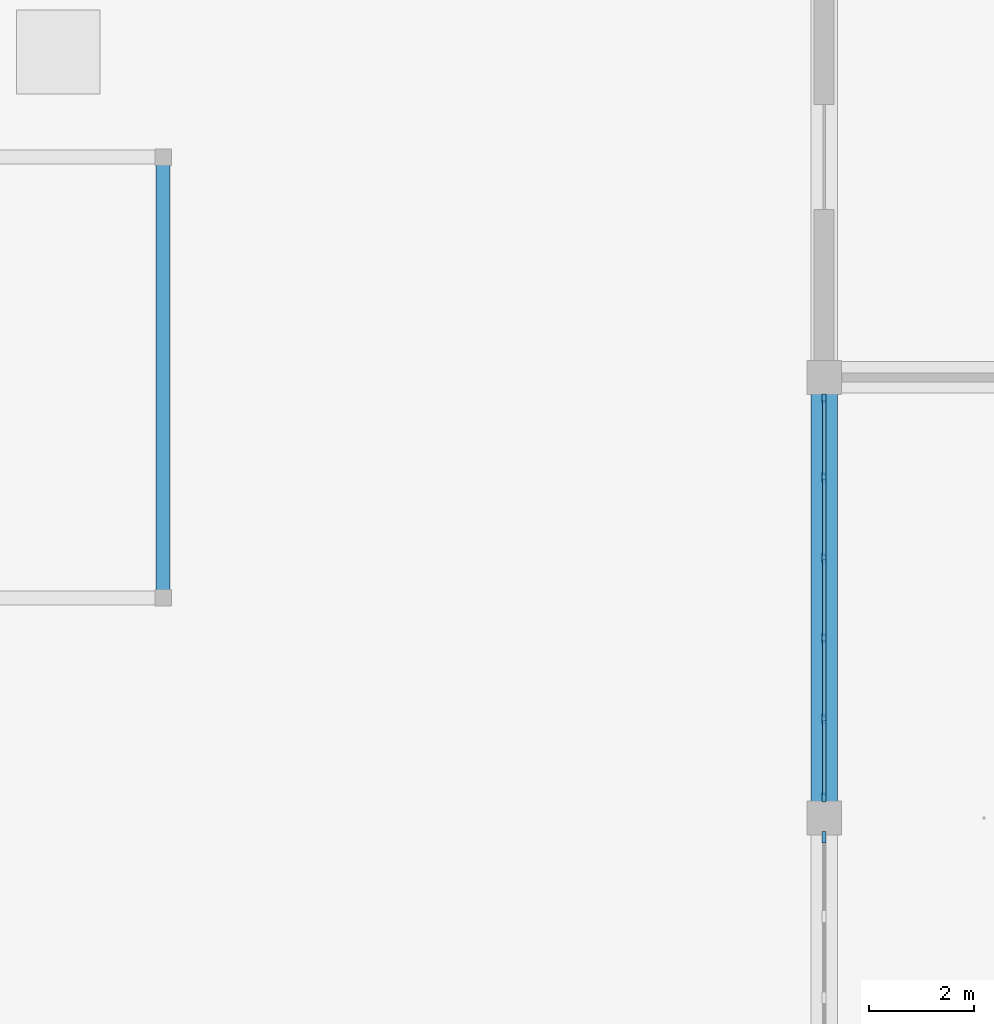
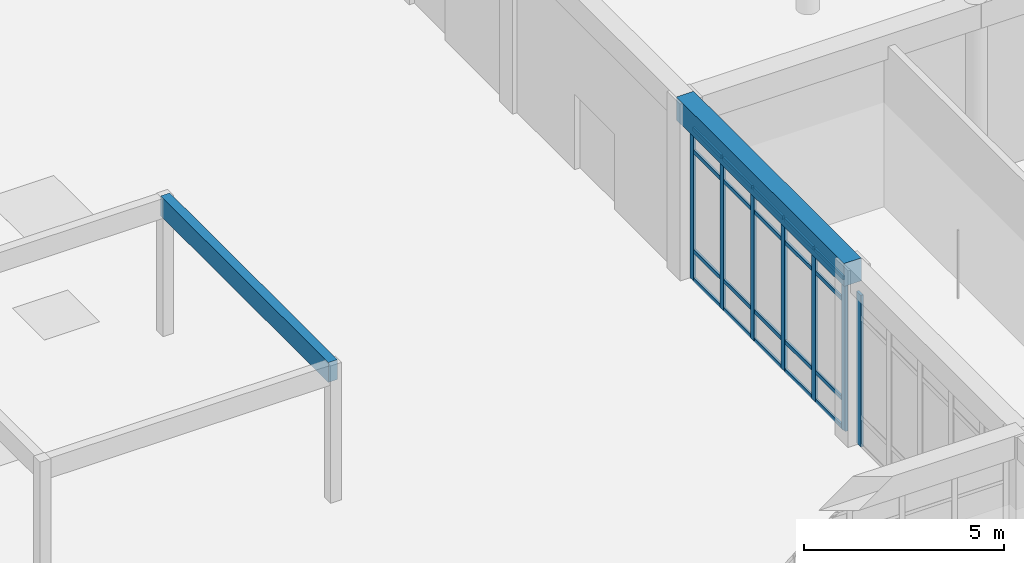
# One storey, part 17 of 167: 27 members, 2 beams, 2 elements without a shape of their own.
"""IFC4 building model written with IfcOpenShell, lengths in metres."""

from ifc_helpers import new_model, si_unit, direction, frame, origin, origin_2d, place, context, subcontext, project, spatial, rectangle, extrude, material, material_profile, profile_set, type_object, element, aggregate, save


model = new_model("IFC4")

# Units and contexts
model_context = context("Model", 3, precision=1e-05, world=origin(), true_north=direction((0.0, 1.0)))
body_context = subcontext(model_context, "Body", "Model", "MODEL_VIEW")
ifc_project = project(units=[si_unit("LENGTHUNIT", "METRE"), si_unit("AREAUNIT", "SQUARE_METRE"), si_unit("VOLUMEUNIT", "CUBIC_METRE"), si_unit("PLANEANGLEUNIT", "RADIAN"), si_unit("MASSUNIT", "GRAM", prefix="KILO")], contexts=[model_context])

# Site, building, storey
site_placement = place(None, origin())
site = spatial("IfcSite", under=ifc_project, at=site_placement, CompositionType="ELEMENT")
building_placement = place(site_placement, origin())
building = spatial("IfcBuilding", under=site, at=building_placement, Name="Varncliffe General Hospital", CompositionType="ELEMENT")
storey_placement = place(building_placement, origin())
storey = spatial("IfcBuildingStorey", under=building, at=storey_placement, Name="L00", CompositionType="ELEMENT", Elevation=0.0)

# Beam
ifc_material_1 = material(Name="Glulam GL28h (CSA O86 24f-EX, 30 MPa)", Category="wood")
ifc_material_profile_1 = material_profile(ifc_material_1, rectangle(XDim=0.264892578125, YDim=0.60791015625, at=origin_2d()), Name="GL 265x608")
ifc_profile_set_1 = profile_set([ifc_material_profile_1], Name="Glulam GL28h (CSA O86 24f-EX, 30 MPa)")
beam_type_1 = type_object("IfcBeamType", Name="Beam B82 (Ext GL 265x608)", PredefinedType="BEAM", material=ifc_profile_set_1)
beam_1_placement = place(storey_placement, frame((46.199951171875, 53.39990234375, 3.89599609375), z_axis=(0.0, 1.0, 0.0), x_axis=(-1.0, 0.0, 0.0)))
element("IfcBeam", 1, at=beam_1_placement, inside=storey, type_object=beam_type_1, Name="L00 Cloister Pergola Glulam Beam W4", PredefinedType="BEAM", context=body_context, shape_type="SweptSolid", body=[
    extrude(rectangle(XDim=0.264892578125, YDim=0.60791015625, at=origin_2d()), origin(), (0.0, 0.0, 1.0), 8.400146484375),
])

# Curtain wall, members
ifc_material_2 = material(Name="Triple low-E argon insulated vision glazing", Category="glass")
curtain_wall_type_1 = type_object("IfcCurtainWallType", Name="Unitised Glazed Curtain Wall CW15 (7674x4640)", PredefinedType="USERDEFINED", material=ifc_material_2)
curtain_wall_1_placement = place(storey_placement, origin())
curtain_wall_1 = element("IfcCurtainWall", 2, at=curtain_wall_1_placement, inside=storey, type_object=curtain_wall_type_1, Name="L00 Glazed Curtain Wall CW15-22", ObjectType="GLAZED CURTAIN WALL", PredefinedType="USERDEFINED")
ifc_material_3 = material(Name="Dark bronze thermally broken aluminium framing", Category="aluminium")
ifc_material_profile_2 = material_profile(ifc_material_3, rectangle(XDim=0.074951171875, YDim=0.179931640625, at=origin_2d()), Name="ALU 75x180")
ifc_profile_set_2 = profile_set([ifc_material_profile_2], Name="Dark bronze thermally broken aluminium framing")
member_type_1 = type_object("IfcMemberType", Name="Curtain Wall Mullion CM44 (ALU 75x180)", PredefinedType="MULLION", material=ifc_profile_set_2)
member_1_placement = place(storey_placement, frame((58.800048828125, 49.6005859375, 0.0), z_axis=(0.0, 0.0, 1.0), x_axis=(-1.0, 0.0, 0.0)))
member_1 = element("IfcMember", 3, at=member_1_placement, type_object=member_type_1, Name="CW15 mullion 1", PredefinedType="MULLION", context=body_context, shape_type="SweptSolid", body=[
    extrude(rectangle(XDim=0.074951171875, YDim=0.179931640625, at=origin_2d()), origin(), (0.0, 0.0, 1.0), 4.639892578125),
])
member_2_placement = place(storey_placement, frame((58.800048828125, 51.097900390625, 0.0), z_axis=(0.0, 0.0, 1.0), x_axis=(-1.0, 0.0, 0.0)))
member_2 = element("IfcMember", 4, at=member_2_placement, type_object=member_type_1, Name="CW15 mullion 2", PredefinedType="MULLION", context=body_context, shape_type="SweptSolid", body=[
    extrude(rectangle(XDim=0.074951171875, YDim=0.179931640625, at=origin_2d()), origin(), (0.0, 0.0, 1.0), 4.639892578125),
])
member_3_placement = place(storey_placement, frame((58.800048828125, 52.632568359375, 0.0), z_axis=(0.0, 0.0, 1.0), x_axis=(-1.0, 0.0, 0.0)))
member_3 = element("IfcMember", 5, at=member_3_placement, type_object=member_type_1, Name="CW15 mullion 3", PredefinedType="MULLION", context=body_context, shape_type="SweptSolid", body=[
    extrude(rectangle(XDim=0.074951171875, YDim=0.179931640625, at=origin_2d()), origin(), (0.0, 0.0, 1.0), 4.639892578125),
])
member_4_placement = place(storey_placement, frame((58.800048828125, 54.16748046875, 0.0), z_axis=(0.0, 0.0, 1.0), x_axis=(-1.0, 0.0, 0.0)))
member_4 = element("IfcMember", 6, at=member_4_placement, type_object=member_type_1, Name="CW15 mullion 4", PredefinedType="MULLION", context=body_context, shape_type="SweptSolid", body=[
    extrude(rectangle(XDim=0.074951171875, YDim=0.179931640625, at=origin_2d()), origin(), (0.0, 0.0, 1.0), 4.639892578125),
])
member_5_placement = place(storey_placement, frame((58.800048828125, 55.7021484375, 0.0), z_axis=(0.0, 0.0, 1.0), x_axis=(-1.0, 0.0, 0.0)))
member_5 = element("IfcMember", 7, at=member_5_placement, type_object=member_type_1, Name="CW15 mullion 5", PredefinedType="MULLION", context=body_context, shape_type="SweptSolid", body=[
    extrude(rectangle(XDim=0.074951171875, YDim=0.179931640625, at=origin_2d()), origin(), (0.0, 0.0, 1.0), 4.639892578125),
])
member_6_placement = place(storey_placement, frame((58.800048828125, 57.199462890625, 0.0), z_axis=(0.0, 0.0, 1.0), x_axis=(-1.0, 0.0, 0.0)))
member_6 = element("IfcMember", 8, at=member_6_placement, type_object=member_type_1, Name="CW15 mullion 6", PredefinedType="MULLION", context=body_context, shape_type="SweptSolid", body=[
    extrude(rectangle(XDim=0.074951171875, YDim=0.179931640625, at=origin_2d()), origin(), (0.0, 0.0, 1.0), 4.639892578125),
])

# Curtain wall, member
curtain_wall_type_2 = type_object("IfcCurtainWallType", Name="Unitised Glazed Curtain Wall CW66 (7754x4640)", PredefinedType="USERDEFINED", material=ifc_material_2)
curtain_wall_2_placement = place(storey_placement, origin())
curtain_wall_2 = element("IfcCurtainWall", 9, at=curtain_wall_2_placement, inside=storey, type_object=curtain_wall_type_2, Name="L00 Glazed Curtain Wall CW66-21", ObjectType="GLAZED CURTAIN WALL", PredefinedType="USERDEFINED")
ifc_material_profile_3 = material_profile(ifc_material_3, rectangle(XDim=0.074951171875, YDim=0.219970703125, at=origin_2d()), Name="ALU 75x220")
ifc_profile_set_3 = profile_set([ifc_material_profile_3], Name="Dark bronze thermally broken aluminium framing")
member_type_2 = type_object("IfcMemberType", Name="Curtain Wall Mullion CM74 (ALU 75x220)", PredefinedType="MULLION", material=ifc_profile_set_3)
member_7_placement = place(storey_placement, frame((58.800048828125, 48.839599609375, 0.0), z_axis=(0.0, 0.0, 1.0), x_axis=(-1.0, 0.0, 0.0)))
member_7 = element("IfcMember", 10, at=member_7_placement, type_object=member_type_2, Name="CW66 mullion 6", PredefinedType="MULLION", context=body_context, shape_type="SweptSolid", body=[
    extrude(rectangle(XDim=0.074951171875, YDim=0.219970703125, at=origin_2d()), origin(), (0.0, 0.0, 1.0), 4.639892578125),
])
aggregate(curtain_wall_2, [member_7])

# Member
ifc_material_profile_4 = material_profile(ifc_material_3, rectangle(XDim=0.06005859375, YDim=0.1201171875, at=origin_2d()), Name="ALU 60x120")
ifc_profile_set_4 = profile_set([ifc_material_profile_4], Name="Dark bronze thermally broken aluminium framing")
member_type_3 = type_object("IfcMemberType", Name="Curtain Wall Transom CT14 (ALU 60x120)", PredefinedType="USERDEFINED", material=ifc_profile_set_4)
member_8_placement = place(storey_placement, frame((58.800048828125, 49.637939453125, 0.030029296875), z_axis=(0.0, 1.0, 0.0), x_axis=(-1.0, 0.0, 0.0)))
member_8 = element("IfcMember", 11, at=member_8_placement, type_object=member_type_3, Name="CW15 transom 1.1", ObjectType="TRANSOM", PredefinedType="USERDEFINED", context=body_context, shape_type="SweptSolid", body=[
    extrude(rectangle(XDim=0.06005859375, YDim=0.1201171875, at=origin_2d()), origin(), (0.0, 0.0, 1.0), 1.42236328125),
])

member_9_placement = place(storey_placement, frame((58.800048828125, 49.637939453125, 0.89990234375), z_axis=(0.0, 1.0, 0.0), x_axis=(-1.0, 0.0, 0.0)))
member_9 = element("IfcMember", 12, at=member_9_placement, type_object=member_type_3, Name="CW15 transom 1.2", ObjectType="TRANSOM", PredefinedType="USERDEFINED", context=body_context, shape_type="SweptSolid", body=[
    extrude(rectangle(XDim=0.06005859375, YDim=0.1201171875, at=origin_2d()), origin(), (0.0, 0.0, 1.0), 1.42236328125),
])

member_10_placement = place(storey_placement, frame((58.800048828125, 49.637939453125, 3.93994140625), z_axis=(0.0, 1.0, 0.0), x_axis=(-1.0, 0.0, 0.0)))
member_10 = element("IfcMember", 13, at=member_10_placement, type_object=member_type_3, Name="CW15 transom 1.3", ObjectType="TRANSOM", PredefinedType="USERDEFINED", context=body_context, shape_type="SweptSolid", body=[
    extrude(rectangle(XDim=0.06005859375, YDim=0.1201171875, at=origin_2d()), origin(), (0.0, 0.0, 1.0), 1.42236328125),
])

member_11_placement = place(storey_placement, frame((58.800048828125, 49.637939453125, 4.610107421875), z_axis=(0.0, 1.0, 0.0), x_axis=(-1.0, 0.0, 0.0)))
member_11 = element("IfcMember", 14, at=member_11_placement, type_object=member_type_3, Name="CW15 transom 1.4", ObjectType="TRANSOM", PredefinedType="USERDEFINED", context=body_context, shape_type="SweptSolid", body=[
    extrude(rectangle(XDim=0.06005859375, YDim=0.1201171875, at=origin_2d()), origin(), (0.0, 0.0, 1.0), 1.42236328125),
])

member_12_placement = place(storey_placement, frame((58.800048828125, 51.13525390625, 0.030029296875), z_axis=(0.0, 1.0, 0.0), x_axis=(-1.0, 0.0, 0.0)))
member_12 = element("IfcMember", 15, at=member_12_placement, type_object=member_type_3, Name="CW15 transom 2.1", ObjectType="TRANSOM", PredefinedType="USERDEFINED", context=body_context, shape_type="SweptSolid", body=[
    extrude(rectangle(XDim=0.06005859375, YDim=0.1201171875, at=origin_2d()), origin(), (0.0, 0.0, 1.0), 1.4599609375),
])

member_13_placement = place(storey_placement, frame((58.800048828125, 51.13525390625, 0.89990234375), z_axis=(0.0, 1.0, 0.0), x_axis=(-1.0, 0.0, 0.0)))
member_13 = element("IfcMember", 16, at=member_13_placement, type_object=member_type_3, Name="CW15 transom 2.2", ObjectType="TRANSOM", PredefinedType="USERDEFINED", context=body_context, shape_type="SweptSolid", body=[
    extrude(rectangle(XDim=0.06005859375, YDim=0.1201171875, at=origin_2d()), origin(), (0.0, 0.0, 1.0), 1.4599609375),
])

member_14_placement = place(storey_placement, frame((58.800048828125, 51.13525390625, 3.93994140625), z_axis=(0.0, 1.0, 0.0), x_axis=(-1.0, 0.0, 0.0)))
member_14 = element("IfcMember", 17, at=member_14_placement, type_object=member_type_3, Name="CW15 transom 2.3", ObjectType="TRANSOM", PredefinedType="USERDEFINED", context=body_context, shape_type="SweptSolid", body=[
    extrude(rectangle(XDim=0.06005859375, YDim=0.1201171875, at=origin_2d()), origin(), (0.0, 0.0, 1.0), 1.4599609375),
])

member_15_placement = place(storey_placement, frame((58.800048828125, 51.13525390625, 4.610107421875), z_axis=(0.0, 1.0, 0.0), x_axis=(-1.0, 0.0, 0.0)))
member_15 = element("IfcMember", 18, at=member_15_placement, type_object=member_type_3, Name="CW15 transom 2.4", ObjectType="TRANSOM", PredefinedType="USERDEFINED", context=body_context, shape_type="SweptSolid", body=[
    extrude(rectangle(XDim=0.06005859375, YDim=0.1201171875, at=origin_2d()), origin(), (0.0, 0.0, 1.0), 1.4599609375),
])

member_16_placement = place(storey_placement, frame((58.800048828125, 52.670166015625, 0.030029296875), z_axis=(0.0, 1.0, 0.0), x_axis=(-1.0, 0.0, 0.0)))
member_16 = element("IfcMember", 19, at=member_16_placement, type_object=member_type_3, Name="CW15 transom 3.1", ObjectType="TRANSOM", PredefinedType="USERDEFINED", context=body_context, shape_type="SweptSolid", body=[
    extrude(rectangle(XDim=0.06005859375, YDim=0.1201171875, at=origin_2d()), origin(), (0.0, 0.0, 1.0), 1.459716796875),
])

member_17_placement = place(storey_placement, frame((58.800048828125, 52.670166015625, 0.89990234375), z_axis=(0.0, 1.0, 0.0), x_axis=(-1.0, 0.0, 0.0)))
member_17 = element("IfcMember", 20, at=member_17_placement, type_object=member_type_3, Name="CW15 transom 3.2", ObjectType="TRANSOM", PredefinedType="USERDEFINED", context=body_context, shape_type="SweptSolid", body=[
    extrude(rectangle(XDim=0.06005859375, YDim=0.1201171875, at=origin_2d()), origin(), (0.0, 0.0, 1.0), 1.459716796875),
])

member_18_placement = place(storey_placement, frame((58.800048828125, 52.670166015625, 3.93994140625), z_axis=(0.0, 1.0, 0.0), x_axis=(-1.0, 0.0, 0.0)))
member_18 = element("IfcMember", 21, at=member_18_placement, type_object=member_type_3, Name="CW15 transom 3.3", ObjectType="TRANSOM", PredefinedType="USERDEFINED", context=body_context, shape_type="SweptSolid", body=[
    extrude(rectangle(XDim=0.06005859375, YDim=0.1201171875, at=origin_2d()), origin(), (0.0, 0.0, 1.0), 1.459716796875),
])

member_19_placement = place(storey_placement, frame((58.800048828125, 52.670166015625, 4.610107421875), z_axis=(0.0, 1.0, 0.0), x_axis=(-1.0, 0.0, 0.0)))
member_19 = element("IfcMember", 22, at=member_19_placement, type_object=member_type_3, Name="CW15 transom 3.4", ObjectType="TRANSOM", PredefinedType="USERDEFINED", context=body_context, shape_type="SweptSolid", body=[
    extrude(rectangle(XDim=0.06005859375, YDim=0.1201171875, at=origin_2d()), origin(), (0.0, 0.0, 1.0), 1.459716796875),
])

member_20_placement = place(storey_placement, frame((58.800048828125, 54.204833984375, 0.030029296875), z_axis=(0.0, 1.0, 0.0), x_axis=(-1.0, 0.0, 0.0)))
member_20 = element("IfcMember", 23, at=member_20_placement, type_object=member_type_3, Name="CW15 transom 4.1", ObjectType="TRANSOM", PredefinedType="USERDEFINED", context=body_context, shape_type="SweptSolid", body=[
    extrude(rectangle(XDim=0.06005859375, YDim=0.1201171875, at=origin_2d()), origin(), (0.0, 0.0, 1.0), 1.4599609375),
])

member_21_placement = place(storey_placement, frame((58.800048828125, 54.204833984375, 0.89990234375), z_axis=(0.0, 1.0, 0.0), x_axis=(-1.0, 0.0, 0.0)))
member_21 = element("IfcMember", 24, at=member_21_placement, type_object=member_type_3, Name="CW15 transom 4.2", ObjectType="TRANSOM", PredefinedType="USERDEFINED", context=body_context, shape_type="SweptSolid", body=[
    extrude(rectangle(XDim=0.06005859375, YDim=0.1201171875, at=origin_2d()), origin(), (0.0, 0.0, 1.0), 1.4599609375),
])

member_22_placement = place(storey_placement, frame((58.800048828125, 54.204833984375, 3.93994140625), z_axis=(0.0, 1.0, 0.0), x_axis=(-1.0, 0.0, 0.0)))
member_22 = element("IfcMember", 25, at=member_22_placement, type_object=member_type_3, Name="CW15 transom 4.3", ObjectType="TRANSOM", PredefinedType="USERDEFINED", context=body_context, shape_type="SweptSolid", body=[
    extrude(rectangle(XDim=0.06005859375, YDim=0.1201171875, at=origin_2d()), origin(), (0.0, 0.0, 1.0), 1.4599609375),
])

member_23_placement = place(storey_placement, frame((58.800048828125, 54.204833984375, 4.610107421875), z_axis=(0.0, 1.0, 0.0), x_axis=(-1.0, 0.0, 0.0)))
member_23 = element("IfcMember", 26, at=member_23_placement, type_object=member_type_3, Name="CW15 transom 4.4", ObjectType="TRANSOM", PredefinedType="USERDEFINED", context=body_context, shape_type="SweptSolid", body=[
    extrude(rectangle(XDim=0.06005859375, YDim=0.1201171875, at=origin_2d()), origin(), (0.0, 0.0, 1.0), 1.4599609375),
])

member_24_placement = place(storey_placement, frame((58.800048828125, 55.73974609375, 0.030029296875), z_axis=(0.0, 1.0, 0.0), x_axis=(-1.0, 0.0, 0.0)))
member_24 = element("IfcMember", 27, at=member_24_placement, type_object=member_type_3, Name="CW15 transom 5.1", ObjectType="TRANSOM", PredefinedType="USERDEFINED", context=body_context, shape_type="SweptSolid", body=[
    extrude(rectangle(XDim=0.06005859375, YDim=0.1201171875, at=origin_2d()), origin(), (0.0, 0.0, 1.0), 1.42236328125),
])

member_25_placement = place(storey_placement, frame((58.800048828125, 55.73974609375, 0.89990234375), z_axis=(0.0, 1.0, 0.0), x_axis=(-1.0, 0.0, 0.0)))
member_25 = element("IfcMember", 28, at=member_25_placement, type_object=member_type_3, Name="CW15 transom 5.2", ObjectType="TRANSOM", PredefinedType="USERDEFINED", context=body_context, shape_type="SweptSolid", body=[
    extrude(rectangle(XDim=0.06005859375, YDim=0.1201171875, at=origin_2d()), origin(), (0.0, 0.0, 1.0), 1.42236328125),
])

member_26_placement = place(storey_placement, frame((58.800048828125, 55.73974609375, 3.93994140625), z_axis=(0.0, 1.0, 0.0), x_axis=(-1.0, 0.0, 0.0)))
member_26 = element("IfcMember", 29, at=member_26_placement, type_object=member_type_3, Name="CW15 transom 5.3", ObjectType="TRANSOM", PredefinedType="USERDEFINED", context=body_context, shape_type="SweptSolid", body=[
    extrude(rectangle(XDim=0.06005859375, YDim=0.1201171875, at=origin_2d()), origin(), (0.0, 0.0, 1.0), 1.42236328125),
])

member_27_placement = place(storey_placement, frame((58.800048828125, 55.73974609375, 4.610107421875), z_axis=(0.0, 1.0, 0.0), x_axis=(-1.0, 0.0, 0.0)))
member_27 = element("IfcMember", 30, at=member_27_placement, type_object=member_type_3, Name="CW15 transom 5.4", ObjectType="TRANSOM", PredefinedType="USERDEFINED", context=body_context, shape_type="SweptSolid", body=[
    extrude(rectangle(XDim=0.06005859375, YDim=0.1201171875, at=origin_2d()), origin(), (0.0, 0.0, 1.0), 1.42236328125),
])

aggregate(curtain_wall_1, [member_1, member_2, member_3, member_4, member_5, member_6, member_8, member_9, member_10, member_11, member_12, member_13, member_14, member_15, member_16, member_17, member_18, member_19, member_20, member_21, member_22, member_23, member_24, member_25, member_26, member_27])

# Beam
ifc_material_4 = material(Name="Concrete C35/45 (CSA A23.1 35 MPa)", Category="concrete")
ifc_material_profile_5 = material_profile(ifc_material_4, rectangle(XDim=0.5, YDim=0.699951171875, at=origin_2d()), Name="RC 500x700")
ifc_profile_set_5 = profile_set([ifc_material_profile_5], Name="Concrete C35/45 (CSA A23.1 35 MPa)")
beam_type_2 = type_object("IfcBeamType", Name="Spandrel SP19 (Ext RC 500x700)", PredefinedType="SPANDREL", material=ifc_profile_set_5)
beam_2_placement = place(storey_placement, frame((58.800048828125, 49.199951171875, 5.050048828125), z_axis=(0.0, 1.0, 0.0), x_axis=(-1.0, 0.0, 0.0)))
element("IfcBeam", 31, at=beam_2_placement, inside=storey, type_object=beam_type_2, Name="L00 Spandrel Beam SP19-357", PredefinedType="SPANDREL", context=body_context, shape_type="SweptSolid", body=[
    extrude(rectangle(XDim=0.5, YDim=0.699951171875, at=origin_2d()), origin(), (0.0, 0.0, 1.0), 8.400146484375),
])

save(model, "model.ifc")
